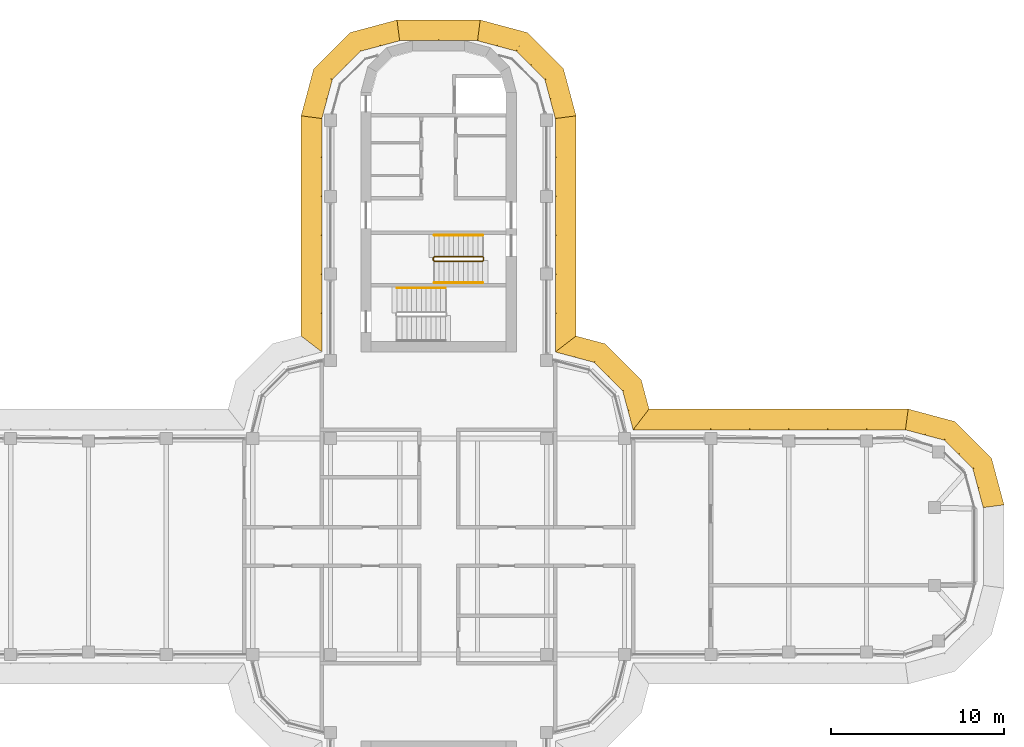
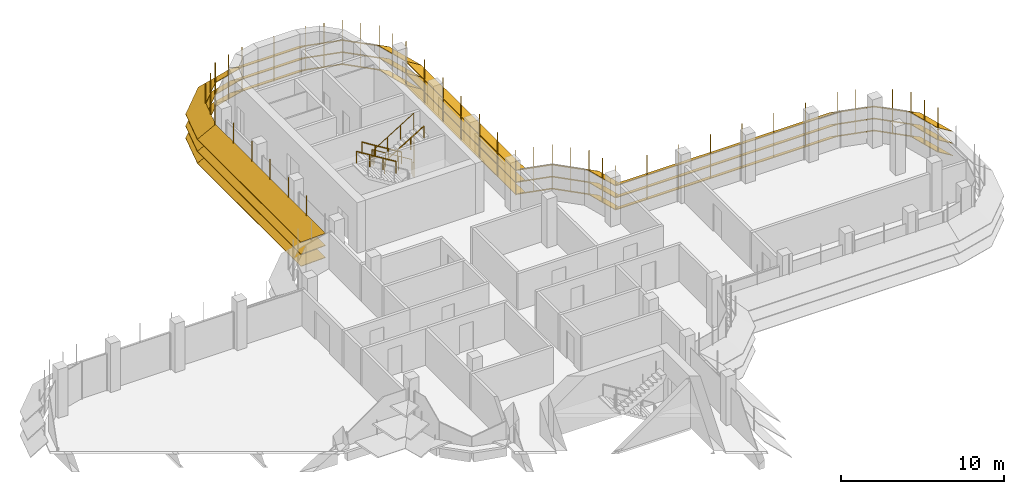
# One storey, part 18 of 19: 8 shading devices, 4 railings.
"""IFC4 building model written with IfcOpenShell, lengths in metres."""

from ifc_helpers import new_model, si_unit, direction, frame, origin, origin_2d, place, context, subcontext, project, spatial, polyline, circle, outline, extrude, faceted_brep, source, transform, mapped, material, type_object, element, save


model = new_model("IFC4")

# Units and contexts
model_context = context("Model", 3, precision=1e-05, world=origin(), true_north=direction((0.0, 1.0)))
body_context = subcontext(model_context, "Body", "Model", "MODEL_VIEW")
ifc_project = project(units=[si_unit("LENGTHUNIT", "METRE"), si_unit("AREAUNIT", "SQUARE_METRE"), si_unit("VOLUMEUNIT", "CUBIC_METRE"), si_unit("PLANEANGLEUNIT", "RADIAN"), si_unit("MASSUNIT", "GRAM", prefix="KILO")], contexts=[model_context])

# Site, building, storey
site_placement = place(None, origin())
site = spatial("IfcSite", under=ifc_project, at=site_placement, CompositionType="ELEMENT")
building_placement = place(site_placement, origin())
building = spatial("IfcBuilding", under=site, at=building_placement, Name="Zarbagh Exchange Tower", CompositionType="ELEMENT")
storey_placement = place(building_placement, frame((0.0, 0.0, 225.800048828125)))
storey = spatial("IfcBuildingStorey", under=building, at=storey_placement, Name="L55", CompositionType="ELEMENT", Elevation=225.800048828125)

# Railings
ifc_material_1 = material(Name="Stainless steel", Category="steel")
railing_type_1 = type_object("IfcRailingType", Name="Stair guard 1100 mm", PredefinedType="GUARDRAIL", material=ifc_material_1)
railing_1_placement = place(storey_placement, frame((2.550048828125, 16.75, 0.172607421875)))
element("IfcRailing", 1, at=railing_1_placement, inside=storey, type_object=railing_type_1, Name="ST1 stair guard 1", PredefinedType="GUARDRAIL", context=body_context, shape_type="SweptSolid", body=[
    extrude(circle(Radius=0.02392578125, at=origin_2d()), frame((0.0, 0.0, 1.076171875), z_axis=(-0.851089632645, 0.0, 0.525020415988), x_axis=(0.0, -1.0, 0.0)), (0.0, 0.0, 1.0), 3.2900390625),
    extrude(circle(Radius=0.02392578125, at=origin_2d()), frame((-2.800048828125, 0.0, 2.80322265625), z_axis=(-0.707106781187, -0.707106781187, 0.0), x_axis=(0.707106781187, -0.707106781187, 0.0)), (0.0, 0.0, 1.0), 0.07080078125),
    extrude(circle(Radius=0.02392578125, at=origin_2d()), frame((-2.85009765625, -0.050048828125, 2.80322265625), z_axis=(0.0, -1.0, 0.0), x_axis=(1.0, 0.0, 0.0)), (0.0, 0.0, 1.0), 0.14990234375),
    extrude(circle(Radius=0.02392578125, at=origin_2d()), frame((-2.85009765625, -0.199951171875, 2.80322265625), z_axis=(0.267953482034, -0.267953482034, 0.925419830635), x_axis=(0.707106781187, 0.707106781187, 0.0)), (0.0, 0.0, 1.0), 0.186767578125),
    extrude(circle(Radius=0.02392578125, at=origin_2d()), frame((-2.800048828125, -0.25, 2.97607421875), z_axis=(0.851089632645, 0.0, 0.525020415988), x_axis=(0.0, 1.0, 0.0)), (0.0, 0.0, 1.0), 3.2900390625),
    extrude(circle(Radius=0.02392578125, at=origin_2d()), frame((0.0, -0.25, 4.70361328125), z_axis=(0.013168290981, 0.013168290981, -0.999826581076), x_axis=(-0.707106781187, 0.707106781187, 0.0)), (0.0, 0.0, 1.0), 3.80078125),
    extrude(circle(Radius=0.02392578125, at=origin_2d()), frame((0.050048828125, -0.199951171875, 0.9033203125), z_axis=(0.0, 1.0, 0.0), x_axis=(-1.0, 0.0, 0.0)), (0.0, 0.0, 1.0), 0.14990234375),
    extrude(circle(Radius=0.02099609375, at=origin_2d()), origin(), (0.0, 0.0, 1.0), 1.052001953125),
    extrude(circle(Radius=0.02099609375, at=origin_2d()), frame((-0.933349609375, 0.0, 0.57568359375)), (0.0, 0.0, 1.0), 1.052001953125),
    extrude(circle(Radius=0.02099609375, at=origin_2d()), frame((-1.86669921875, 0.0, 1.151611328125)), (0.0, 0.0, 1.0), 1.052001953125),
    extrude(circle(Radius=0.02099609375, at=origin_2d()), frame((-2.800048828125, 0.0, 1.727294921875)), (0.0, 0.0, 1.0), 1.052001953125),
    extrude(circle(Radius=0.02099609375, at=origin_2d()), frame((-2.85009765625, -0.050048828125, 1.727294921875)), (0.0, 0.0, 1.0), 1.052001953125),
    extrude(circle(Radius=0.02099609375, at=origin_2d()), frame((-2.85009765625, -0.199951171875, 1.727294921875)), (0.0, 0.0, 1.0), 1.052001953125),
    extrude(circle(Radius=0.02099609375, at=origin_2d()), frame((-2.800048828125, -0.25, 1.900146484375)), (0.0, 0.0, 1.0), 1.052001953125),
    extrude(circle(Radius=0.02099609375, at=origin_2d()), frame((-1.86669921875, -0.25, 2.475830078125)), (0.0, 0.0, 1.0), 1.052001953125),
    extrude(circle(Radius=0.02099609375, at=origin_2d()), frame((-0.933349609375, -0.25, 3.0517578125)), (0.0, 0.0, 1.0), 1.052001953125),
    extrude(circle(Radius=0.02099609375, at=origin_2d()), frame((0.0, -0.25, 3.62744140625)), (0.0, 0.0, 1.0), 1.052001953125),
    extrude(circle(Radius=0.02099609375, at=origin_2d()), frame((0.012451171875, -0.237548828125, 2.677490234375)), (0.0, 0.0, 1.0), 1.052001953125),
    extrude(circle(Radius=0.02099609375, at=origin_2d()), frame((0.02490234375, -0.22509765625, 1.7275390625)), (0.0, 0.0, 1.0), 1.052001953125),
    extrude(circle(Radius=0.02099609375, at=origin_2d()), frame((0.03759765625, -0.21240234375, 0.77734375)), (0.0, 0.0, 1.0), 1.052001953125),
    extrude(circle(Radius=0.02099609375, at=origin_2d()), frame((0.050048828125, -0.199951171875, -0.172607421875)), (0.0, 0.0, 1.0), 1.052001953125),
    extrude(circle(Radius=0.02099609375, at=origin_2d()), frame((0.050048828125, -0.050048828125, -0.172607421875)), (0.0, 0.0, 1.0), 1.052001953125),
])
railing_type_2 = type_object("IfcRailingType", Name="Stair handrail 900 mm", PredefinedType="HANDRAIL", material=ifc_material_1)
railing_2_placement = place(storey_placement, frame((2.550048828125, 18.0, 0.172607421875)))
element("IfcRailing", 2, at=railing_2_placement, inside=storey, type_object=railing_type_2, Name="ST1 stair handrail 1", PredefinedType="HANDRAIL", context=body_context, shape_type="SweptSolid", body=[
    extrude(circle(Radius=0.02392578125, at=origin_2d()), frame((0.0, 0.0, 0.8759765625), z_axis=(-0.851089632645, 0.0, 0.525020415988), x_axis=(0.0, -1.0, 0.0)), (0.0, 0.0, 1.0), 3.2900390625),
    extrude(circle(Radius=0.02099609375, at=origin_2d()), origin(), (0.0, 0.0, 1.0), 0.851806640625),
    extrude(circle(Radius=0.02099609375, at=origin_2d()), frame((-0.933349609375, 0.0, 0.57568359375)), (0.0, 0.0, 1.0), 0.851806640625),
    extrude(circle(Radius=0.02099609375, at=origin_2d()), frame((-1.86669921875, 0.0, 1.151611328125)), (0.0, 0.0, 1.0), 0.851806640625),
    extrude(circle(Radius=0.02099609375, at=origin_2d()), frame((-2.800048828125, 0.0, 1.727294921875)), (0.0, 0.0, 1.0), 0.851806640625),
])
railing_3_placement = place(storey_placement, frame((-0.25, 15.25, 2.07275390625)))
element("IfcRailing", 3, at=railing_3_placement, inside=storey, type_object=railing_type_2, Name="ST1 stair handrail 2", PredefinedType="HANDRAIL", context=body_context, shape_type="SweptSolid", body=[
    extrude(circle(Radius=0.02392578125, at=origin_2d()), frame((0.0, 0.0, 0.8759765625), z_axis=(0.851089632645, 0.0, 0.525020415988), x_axis=(0.0, 1.0, 0.0)), (0.0, 0.0, 1.0), 3.2900390625),
    extrude(circle(Radius=0.02099609375, at=origin_2d()), origin(), (0.0, 0.0, 1.0), 0.851806640625),
    extrude(circle(Radius=0.02099609375, at=origin_2d()), frame((0.933349609375, 0.0, 0.57568359375)), (0.0, 0.0, 1.0), 0.851806640625),
    extrude(circle(Radius=0.02099609375, at=origin_2d()), frame((1.86669921875, 0.0, 1.151611328125)), (0.0, 0.0, 1.0), 0.851806640625),
    extrude(circle(Radius=0.02099609375, at=origin_2d()), frame((2.800048828125, 0.0, 1.727294921875)), (0.0, 0.0, 1.0), 0.851806640625),
])
railing_4_placement = place(storey_placement, frame((0.39990234375, 14.949951171875, 2.07275390625)))
element("IfcRailing", 4, at=railing_4_placement, inside=storey, type_object=railing_type_2, Name="ST2 stair handrail 2", PredefinedType="HANDRAIL", context=body_context, shape_type="SweptSolid", body=[
    extrude(circle(Radius=0.02392578125, at=origin_2d()), frame((0.0, 0.0, 0.8759765625), z_axis=(-0.851069175582, 0.0, 0.525053576669), x_axis=(0.0, -1.0, 0.0)), (0.0, 0.0, 1.0), 3.289794921875),
    extrude(circle(Radius=0.02099609375, at=origin_2d()), origin(), (0.0, 0.0, 1.0), 0.851806640625),
    extrude(circle(Radius=0.02099609375, at=origin_2d()), frame((-0.933349609375, 0.0, 0.57568359375)), (0.0, 0.0, 1.0), 0.851806640625),
    extrude(circle(Radius=0.02099609375, at=origin_2d()), frame((-1.866455078125, 0.0, 1.151611328125)), (0.0, 0.0, 1.0), 0.851806640625),
    extrude(circle(Radius=0.02099609375, at=origin_2d()), frame((-2.7998046875, 0.0, 1.727294921875)), (0.0, 0.0, 1.0), 0.851806640625),
])

# Shading devices
ifc_material_2 = material(Name="Anodised aluminium blades and brackets", Category="aluminium")
shading_device_type = type_object("IfcShadingDeviceType", Name="SUNSHADE louvre band, 33.75 degree blades", PredefinedType="JALOUSIE", material=ifc_material_2)
shared_shape_1 = source(origin(), body_context, "Body", "Brep", [
    faceted_brep([(0.0, 0.0, 0.0), (0.0, 0.0, -0.048095703125), (-0.157958984375, -1.199951171875, -0.849853515625), (-0.157958984375, -1.199951171875, -0.8017578125), (2.65087890625, -1.199951171875, -0.8017578125), (2.65087890625, -1.199951171875, -0.849853515625), (2.329345703125, 0.0, -0.048095703125), (2.329345703125, 0.0, 0.0)], [[[0, 1, 2, 3]], [[4, 5, 6, 7]], [[0, 7, 6, 1]], [[1, 6, 5, 2]], [[2, 5, 4, 3]], [[3, 4, 7, 0]]]),
])
shared_shape_2 = source(origin(), body_context, "Body", "Brep", [
    faceted_brep([(0.0, 0.0, 0.0), (0.0, 0.0, -0.048095703125), (-0.321533203125, -1.199951171875, -0.849853515625), (-0.321533203125, -1.199951171875, -0.8017578125), (2.65087890625, -1.199951171875, -0.8017578125), (2.65087890625, -1.199951171875, -0.849853515625), (2.329345703125, 0.0, -0.048095703125), (2.329345703125, 0.0, 0.0)], [[[0, 1, 2, 3]], [[4, 5, 6, 7]], [[0, 7, 6, 1]], [[1, 6, 5, 2]], [[2, 5, 4, 3]], [[3, 4, 7, 0]]]),
])
shared_shape_3 = source(origin(), body_context, "Body", "Brep", [
    faceted_brep([(0.0, 0.0, 0.0), (0.0, 0.0, -0.048095703125), (-0.321533203125, -1.199951171875, -0.849853515625), (-0.321533203125, -1.199951171875, -0.8017578125), (2.4873046875, -1.199951171875, -0.8017578125), (2.4873046875, -1.199951171875, -0.849853515625), (2.329345703125, 0.0, -0.048095703125), (2.329345703125, 0.0, 0.0)], [[[0, 1, 2, 3]], [[4, 5, 6, 7]], [[0, 7, 6, 1]], [[1, 6, 5, 2]], [[2, 5, 4, 3]], [[3, 4, 7, 0]]]),
])
shared_shape_4 = source(origin(), body_context, "Body", "SweptSolid", [
    extrude(outline(polyline([(0.0, -0.012451171875), (0.06005859375, -0.012451171875), (0.06005859375, 0.012451171875), (0.0, 0.012451171875), (0.0, -0.012451171875)])), origin(), (0.0, 0.0, 1.0), 3.358154296875),
])
placement = place(storey_placement, origin())
element("IfcShadingDevice", 5, at=placement, inside=storey, type_object=shading_device_type, Name="SS33 sunshade band", PredefinedType="JALOUSIE", context=body_context, shape_type="MappedRepresentation", body=[
    mapped(shared_shape_1, transform((31.5, 2.25, 2.300048828125), x_axis=(-0.258824779902, 0.965924289636, 0.0), y_axis=(-0.965924289636, -0.258824779902, 0.0), z_axis=(0.0, 0.0, 1.0))),
    mapped(shared_shape_1, transform((31.5, 2.25, 1.39990234375), x_axis=(-0.258824779902, 0.965924289636, 0.0), y_axis=(-0.965924289636, -0.258824779902, 0.0), z_axis=(0.0, 0.0, 1.0))),
    mapped(shared_shape_1, transform((31.5, 2.25, 0.5), x_axis=(-0.258824779902, 0.965924289636, 0.0), y_axis=(-0.965924289636, -0.258824779902, 0.0), z_axis=(0.0, 0.0, 1.0))),
    mapped(shared_shape_2, transform((30.897216796875, 4.5, 2.300048828125), x_axis=(-0.707106781187, 0.707106781187, 0.0), y_axis=(-0.707106781187, -0.707106781187, 0.0), z_axis=(0.0, 0.0, 1.0))),
    mapped(shared_shape_2, transform((30.897216796875, 4.5, 1.39990234375), x_axis=(-0.707106781187, 0.707106781187, 0.0), y_axis=(-0.707106781187, -0.707106781187, 0.0), z_axis=(0.0, 0.0, 1.0))),
    mapped(shared_shape_2, transform((30.897216796875, 4.5, 0.5), x_axis=(-0.707106781187, 0.707106781187, 0.0), y_axis=(-0.707106781187, -0.707106781187, 0.0), z_axis=(0.0, 0.0, 1.0))),
    mapped(shared_shape_3, transform((29.25, 6.147216796875, 2.300048828125), x_axis=(-0.965924289636, 0.258824779902, 0.0), y_axis=(-0.258824779902, -0.965924289636, 0.0), z_axis=(0.0, 0.0, 1.0))),
    mapped(shared_shape_3, transform((29.25, 6.147216796875, 1.39990234375), x_axis=(-0.965924289636, 0.258824779902, 0.0), y_axis=(-0.258824779902, -0.965924289636, 0.0), z_axis=(0.0, 0.0, 1.0))),
    mapped(shared_shape_3, transform((29.25, 6.147216796875, 0.5), x_axis=(-0.965924289636, 0.258824779902, 0.0), y_axis=(-0.258824779902, -0.965924289636, 0.0), z_axis=(0.0, 0.0, 1.0))),
    mapped(shared_shape_4, transform((31.5, 2.25, 0.421875), x_axis=(0.991444457092, 0.130529263012, 0.0), y_axis=(-0.130529263012, 0.991444457092, 0.0), z_axis=(0.0, 0.0, 1.0))),
    mapped(shared_shape_4, transform((31.198486328125, 3.375, 0.421875), x_axis=(0.96592421511, 0.258825058029, 0.0), y_axis=(-0.258825058029, 0.96592421511, 0.0), z_axis=(0.0, 0.0, 1.0))),
    mapped(shared_shape_4, transform((30.897216796875, 4.5, 0.421875), x_axis=(0.866023812018, 0.50000275701, 0.0), y_axis=(-0.50000275701, 0.866023812018, 0.0), z_axis=(0.0, 0.0, 1.0))),
    mapped(shared_shape_4, transform((30.073486328125, 5.323486328125, 0.421875), x_axis=(0.707106781187, 0.707106781187, 0.0), y_axis=(-0.707106781187, 0.707106781187, 0.0), z_axis=(0.0, 0.0, 1.0))),
    mapped(shared_shape_4, transform((29.25, 6.147216796875, 0.421875), x_axis=(0.50000275701, 0.866023812018, 0.0), y_axis=(-0.866023812018, 0.50000275701, 0.0), z_axis=(0.0, 0.0, 1.0))),
    mapped(shared_shape_4, transform((28.125, 6.448486328125, 0.421875), x_axis=(0.258825058029, 0.96592421511, 0.0), y_axis=(-0.96592421511, 0.258825058029, 0.0), z_axis=(0.0, 0.0, 1.0))),
])
element("IfcShadingDevice", 6, at=placement, inside=storey, type_object=shading_device_type, Name="SS46 sunshade band", PredefinedType="JALOUSIE", context=body_context, shape_type="MappedRepresentation", body=[
    mapped(shared_shape_1, transform((6.75, 24.75, 2.300048828125), x_axis=(-0.258824779902, 0.965924289636, 0.0), y_axis=(-0.965924289636, -0.258824779902, 0.0), z_axis=(0.0, 0.0, 1.0))),
    mapped(shared_shape_1, transform((6.75, 24.75, 1.39990234375), x_axis=(-0.258824779902, 0.965924289636, 0.0), y_axis=(-0.965924289636, -0.258824779902, 0.0), z_axis=(0.0, 0.0, 1.0))),
    mapped(shared_shape_1, transform((6.75, 24.75, 0.5), x_axis=(-0.258824779902, 0.965924289636, 0.0), y_axis=(-0.965924289636, -0.258824779902, 0.0), z_axis=(0.0, 0.0, 1.0))),
    mapped(shared_shape_2, transform((6.147216796875, 27.0, 2.300048828125), x_axis=(-0.707106781187, 0.707106781187, 0.0), y_axis=(-0.707106781187, -0.707106781187, 0.0), z_axis=(0.0, 0.0, 1.0))),
    mapped(shared_shape_2, transform((6.147216796875, 27.0, 1.39990234375), x_axis=(-0.707106781187, 0.707106781187, 0.0), y_axis=(-0.707106781187, -0.707106781187, 0.0), z_axis=(0.0, 0.0, 1.0))),
    mapped(shared_shape_2, transform((6.147216796875, 27.0, 0.5), x_axis=(-0.707106781187, 0.707106781187, 0.0), y_axis=(-0.707106781187, -0.707106781187, 0.0), z_axis=(0.0, 0.0, 1.0))),
    mapped(shared_shape_3, transform((4.5, 28.647216796875, 2.300048828125), x_axis=(-0.965924289636, 0.258824779902, 0.0), y_axis=(-0.258824779902, -0.965924289636, 0.0), z_axis=(0.0, 0.0, 1.0))),
    mapped(shared_shape_3, transform((4.5, 28.647216796875, 1.39990234375), x_axis=(-0.965924289636, 0.258824779902, 0.0), y_axis=(-0.258824779902, -0.965924289636, 0.0), z_axis=(0.0, 0.0, 1.0))),
    mapped(shared_shape_3, transform((4.5, 28.647216796875, 0.5), x_axis=(-0.965924289636, 0.258824779902, 0.0), y_axis=(-0.258824779902, -0.965924289636, 0.0), z_axis=(0.0, 0.0, 1.0))),
    mapped(shared_shape_4, transform((6.75, 24.75, 0.421875), x_axis=(0.991444457092, 0.130529263012, 0.0), y_axis=(-0.130529263012, 0.991444457092, 0.0), z_axis=(0.0, 0.0, 1.0))),
    mapped(shared_shape_4, transform((6.448486328125, 25.875, 0.421875), x_axis=(0.96592421511, 0.258825058029, 0.0), y_axis=(-0.258825058029, 0.96592421511, 0.0), z_axis=(0.0, 0.0, 1.0))),
    mapped(shared_shape_4, transform((6.147216796875, 27.0, 0.421875), x_axis=(0.866023812018, 0.50000275701, 0.0), y_axis=(-0.50000275701, 0.866023812018, 0.0), z_axis=(0.0, 0.0, 1.0))),
    mapped(shared_shape_4, transform((5.323486328125, 27.823486328125, 0.421875), x_axis=(0.707106781187, 0.707106781187, 0.0), y_axis=(-0.707106781187, 0.707106781187, 0.0), z_axis=(0.0, 0.0, 1.0))),
    mapped(shared_shape_4, transform((4.5, 28.647216796875, 0.421875), x_axis=(0.50000275701, 0.866023812018, 0.0), y_axis=(-0.866023812018, 0.50000275701, 0.0), z_axis=(0.0, 0.0, 1.0))),
    mapped(shared_shape_4, transform((3.375, 28.948486328125, 0.421875), x_axis=(0.258825058029, 0.96592421511, 0.0), y_axis=(-0.96592421511, 0.258825058029, 0.0), z_axis=(0.0, 0.0, 1.0))),
])
element("IfcShadingDevice", 7, at=placement, inside=storey, type_object=shading_device_type, Name="SS48 sunshade band", PredefinedType="JALOUSIE", context=body_context, shape_type="MappedRepresentation", body=[
    mapped(shared_shape_1, transform((-2.25, 29.25, 2.300048828125), x_axis=(-0.965924289636, -0.258824779902, 0.0), y_axis=(0.258824779902, -0.965924289636, 0.0), z_axis=(0.0, 0.0, 1.0))),
    mapped(shared_shape_1, transform((-2.25, 29.25, 1.39990234375), x_axis=(-0.965924289636, -0.258824779902, 0.0), y_axis=(0.258824779902, -0.965924289636, 0.0), z_axis=(0.0, 0.0, 1.0))),
    mapped(shared_shape_1, transform((-2.25, 29.25, 0.5), x_axis=(-0.965924289636, -0.258824779902, 0.0), y_axis=(0.258824779902, -0.965924289636, 0.0), z_axis=(0.0, 0.0, 1.0))),
    mapped(shared_shape_2, transform((-4.5, 28.647216796875, 2.300048828125), x_axis=(-0.707106781187, -0.707106781187, 0.0), y_axis=(0.707106781187, -0.707106781187, 0.0), z_axis=(0.0, 0.0, 1.0))),
    mapped(shared_shape_2, transform((-4.5, 28.647216796875, 1.39990234375), x_axis=(-0.707106781187, -0.707106781187, 0.0), y_axis=(0.707106781187, -0.707106781187, 0.0), z_axis=(0.0, 0.0, 1.0))),
    mapped(shared_shape_2, transform((-4.5, 28.647216796875, 0.5), x_axis=(-0.707106781187, -0.707106781187, 0.0), y_axis=(0.707106781187, -0.707106781187, 0.0), z_axis=(0.0, 0.0, 1.0))),
    mapped(shared_shape_3, transform((-6.147216796875, 27.0, 2.300048828125), x_axis=(-0.258824779902, -0.965924289636, 0.0), y_axis=(0.965924289636, -0.258824779902, 0.0), z_axis=(0.0, 0.0, 1.0))),
    mapped(shared_shape_3, transform((-6.147216796875, 27.0, 1.39990234375), x_axis=(-0.258824779902, -0.965924289636, 0.0), y_axis=(0.965924289636, -0.258824779902, 0.0), z_axis=(0.0, 0.0, 1.0))),
    mapped(shared_shape_3, transform((-6.147216796875, 27.0, 0.5), x_axis=(-0.258824779902, -0.965924289636, 0.0), y_axis=(0.965924289636, -0.258824779902, 0.0), z_axis=(0.0, 0.0, 1.0))),
    mapped(shared_shape_4, transform((-2.25, 29.25, 0.421875), x_axis=(-0.130529263012, 0.991444457092, 0.0), y_axis=(-0.991444457092, -0.130529263012, 0.0), z_axis=(0.0, 0.0, 1.0))),
    mapped(shared_shape_4, transform((-3.375, 28.948486328125, 0.421875), x_axis=(-0.258825058029, 0.96592421511, 0.0), y_axis=(-0.96592421511, -0.258825058029, 0.0), z_axis=(0.0, 0.0, 1.0))),
    mapped(shared_shape_4, transform((-4.5, 28.647216796875, 0.421875), x_axis=(-0.50000275701, 0.866023812018, 0.0), y_axis=(-0.866023812018, -0.50000275701, 0.0), z_axis=(0.0, 0.0, 1.0))),
    mapped(shared_shape_4, transform((-5.323486328125, 27.823486328125, 0.421875), x_axis=(-0.707106781187, 0.707106781187, 0.0), y_axis=(-0.707106781187, -0.707106781187, 0.0), z_axis=(0.0, 0.0, 1.0))),
    mapped(shared_shape_4, transform((-6.147216796875, 27.0, 0.421875), x_axis=(-0.866023812018, 0.50000275701, 0.0), y_axis=(-0.50000275701, -0.866023812018, 0.0), z_axis=(0.0, 0.0, 1.0))),
    mapped(shared_shape_4, transform((-6.448486328125, 25.875, 0.421875), x_axis=(-0.96592421511, 0.258825058029, 0.0), y_axis=(-0.258825058029, -0.96592421511, 0.0), z_axis=(0.0, 0.0, 1.0))),
])
shared_shape_5 = source(origin(), body_context, "Body", "Brep", [
    faceted_brep([(0.0, 0.0, 0.0), (0.0, 0.0, -0.048095703125), (0.9208984375, -1.199951171875, -0.849853515625), (0.9208984375, -1.199951171875, -0.8017578125), (2.65087890625, -1.199951171875, -0.8017578125), (2.65087890625, -1.199951171875, -0.849853515625), (2.329345703125, 0.0, -0.048095703125), (2.329345703125, 0.0, 0.0)], [[[0, 1, 2, 3]], [[4, 5, 6, 7]], [[0, 7, 6, 1]], [[1, 6, 5, 2]], [[2, 5, 4, 3]], [[3, 4, 7, 0]]]),
])
shared_shape_6 = source(origin(), body_context, "Body", "Brep", [
    faceted_brep([(0.0, 0.0, 0.0), (0.0, 0.0, -0.048095703125), (-0.321533203125, -1.199951171875, -0.849853515625), (-0.321533203125, -1.199951171875, -0.8017578125), (1.40869140625, -1.199951171875, -0.8017578125), (1.40869140625, -1.199951171875, -0.849853515625), (2.329345703125, 0.0, -0.048095703125), (2.329345703125, 0.0, 0.0)], [[[0, 1, 2, 3]], [[4, 5, 6, 7]], [[0, 7, 6, 1]], [[1, 6, 5, 2]], [[2, 5, 4, 3]], [[3, 4, 7, 0]]]),
])
element("IfcShadingDevice", 8, at=placement, inside=storey, type_object=shading_device_type, Name="SS09 sunshade band", PredefinedType="JALOUSIE", context=body_context, shape_type="MappedRepresentation", body=[
    mapped(shared_shape_5, transform((11.25, 6.75, 2.300048828125), x_axis=(-0.258824779902, 0.965924289636, 0.0), y_axis=(-0.965924289636, -0.258824779902, 0.0), z_axis=(0.0, 0.0, 1.0))),
    mapped(shared_shape_5, transform((11.25, 6.75, 1.39990234375), x_axis=(-0.258824779902, 0.965924289636, 0.0), y_axis=(-0.965924289636, -0.258824779902, 0.0), z_axis=(0.0, 0.0, 1.0))),
    mapped(shared_shape_5, transform((11.25, 6.75, 0.5), x_axis=(-0.258824779902, 0.965924289636, 0.0), y_axis=(-0.965924289636, -0.258824779902, 0.0), z_axis=(0.0, 0.0, 1.0))),
    mapped(shared_shape_2, transform((10.647216796875, 9.0, 2.300048828125), x_axis=(-0.707106781187, 0.707106781187, 0.0), y_axis=(-0.707106781187, -0.707106781187, 0.0), z_axis=(0.0, 0.0, 1.0))),
    mapped(shared_shape_2, transform((10.647216796875, 9.0, 1.39990234375), x_axis=(-0.707106781187, 0.707106781187, 0.0), y_axis=(-0.707106781187, -0.707106781187, 0.0), z_axis=(0.0, 0.0, 1.0))),
    mapped(shared_shape_2, transform((10.647216796875, 9.0, 0.5), x_axis=(-0.707106781187, 0.707106781187, 0.0), y_axis=(-0.707106781187, -0.707106781187, 0.0), z_axis=(0.0, 0.0, 1.0))),
    mapped(shared_shape_6, transform((9.0, 10.647216796875, 2.300048828125), x_axis=(-0.965924289636, 0.258824779902, 0.0), y_axis=(-0.258824779902, -0.965924289636, 0.0), z_axis=(0.0, 0.0, 1.0))),
    mapped(shared_shape_6, transform((9.0, 10.647216796875, 1.39990234375), x_axis=(-0.965924289636, 0.258824779902, 0.0), y_axis=(-0.258824779902, -0.965924289636, 0.0), z_axis=(0.0, 0.0, 1.0))),
    mapped(shared_shape_6, transform((9.0, 10.647216796875, 0.5), x_axis=(-0.965924289636, 0.258824779902, 0.0), y_axis=(-0.258824779902, -0.965924289636, 0.0), z_axis=(0.0, 0.0, 1.0))),
    mapped(shared_shape_4, transform((11.25, 6.75, 0.421875), x_axis=(0.608758892, 0.793355287, 0.0), y_axis=(-0.793355287, 0.608758892, 0.0), z_axis=(0.0, 0.0, 1.0))),
    mapped(shared_shape_4, transform((10.948486328125, 7.875, 0.421875), x_axis=(0.96592421511, 0.258825058029, 0.0), y_axis=(-0.258825058029, 0.96592421511, 0.0), z_axis=(0.0, 0.0, 1.0))),
    mapped(shared_shape_4, transform((10.647216796875, 9.0, 0.421875), x_axis=(0.866023812018, 0.50000275701, 0.0), y_axis=(-0.50000275701, 0.866023812018, 0.0), z_axis=(0.0, 0.0, 1.0))),
    mapped(shared_shape_4, transform((9.823486328125, 9.823486328125, 0.421875), x_axis=(0.707106781187, 0.707106781187, 0.0), y_axis=(-0.707106781187, 0.707106781187, 0.0), z_axis=(0.0, 0.0, 1.0))),
    mapped(shared_shape_4, transform((9.0, 10.647216796875, 0.421875), x_axis=(0.50000275701, 0.866023812018, 0.0), y_axis=(-0.866023812018, 0.50000275701, 0.0), z_axis=(0.0, 0.0, 1.0))),
    mapped(shared_shape_4, transform((7.875, 10.948486328125, 0.421875), x_axis=(0.258825058029, 0.96592421511, 0.0), y_axis=(-0.96592421511, 0.258825058029, 0.0), z_axis=(0.0, 0.0, 1.0))),
])
shared_shape_7 = source(origin(), body_context, "Body", "Brep", [
    faceted_brep([(0.0, 0.0, 0.0), (0.0, 0.0, -0.048095703125), (-0.157958984375, -1.199951171875, -0.849853515625), (-0.157958984375, -1.199951171875, -0.8017578125), (14.8291015625, -1.199951171875, -0.8017578125), (14.8291015625, -1.199951171875, -0.849853515625), (15.75, 0.0, -0.048095703125), (15.75, 0.0, 0.0)], [[[0, 1, 2, 3]], [[4, 5, 6, 7]], [[0, 7, 6, 1]], [[1, 6, 5, 2]], [[2, 5, 4, 3]], [[3, 4, 7, 0]]]),
])
element("IfcShadingDevice", 9, at=placement, inside=storey, type_object=shading_device_type, Name="SS34 sunshade band", PredefinedType="JALOUSIE", context=body_context, shape_type="MappedRepresentation", body=[
    mapped(shared_shape_7, transform((27.0, 6.75, 2.300048828125), x_axis=(-1.0, 0.0, 0.0), y_axis=(0.0, -1.0, 0.0), z_axis=(0.0, 0.0, 1.0))),
    mapped(shared_shape_7, transform((27.0, 6.75, 1.39990234375), x_axis=(-1.0, 0.0, 0.0), y_axis=(0.0, -1.0, 0.0), z_axis=(0.0, 0.0, 1.0))),
    mapped(shared_shape_7, transform((27.0, 6.75, 0.5), x_axis=(-1.0, 0.0, 0.0), y_axis=(0.0, -1.0, 0.0), z_axis=(0.0, 0.0, 1.0))),
    mapped(shared_shape_4, transform((27.0, 6.75, 0.421875), x_axis=(0.130529263012, 0.991444457092, 0.0), y_axis=(-0.991444457092, 0.130529263012, 0.0), z_axis=(0.0, 0.0, 1.0))),
    mapped(shared_shape_4, transform((24.75, 6.75, 0.421875), x_axis=(0.0, 1.0, 0.0), y_axis=(-1.0, 0.0, 0.0), z_axis=(0.0, 0.0, 1.0))),
    mapped(shared_shape_4, transform((22.5, 6.75, 0.421875), x_axis=(0.0, 1.0, 0.0), y_axis=(-1.0, 0.0, 0.0), z_axis=(0.0, 0.0, 1.0))),
    mapped(shared_shape_4, transform((20.25, 6.75, 0.421875), x_axis=(0.0, 1.0, 0.0), y_axis=(-1.0, 0.0, 0.0), z_axis=(0.0, 0.0, 1.0))),
    mapped(shared_shape_4, transform((18.0, 6.75, 0.421875), x_axis=(0.0, 1.0, 0.0), y_axis=(-1.0, 0.0, 0.0), z_axis=(0.0, 0.0, 1.0))),
    mapped(shared_shape_4, transform((15.75, 6.75, 0.421875), x_axis=(0.0, 1.0, 0.0), y_axis=(-1.0, 0.0, 0.0), z_axis=(0.0, 0.0, 1.0))),
    mapped(shared_shape_4, transform((13.5, 6.75, 0.421875), x_axis=(0.0, 1.0, 0.0), y_axis=(-1.0, 0.0, 0.0), z_axis=(0.0, 0.0, 1.0))),
])
shared_shape_8 = source(origin(), body_context, "Body", "Brep", [
    faceted_brep([(0.0, 0.0, 0.0), (0.0, 0.0, -0.048095703125), (0.9208984375, -1.199951171875, -0.849853515625), (0.9208984375, -1.199951171875, -0.8017578125), (13.657958984375, -1.199951171875, -0.8017578125), (13.657958984375, -1.199951171875, -0.849853515625), (13.5, 0.0, -0.048095703125), (13.5, 0.0, 0.0)], [[[0, 1, 2, 3]], [[4, 5, 6, 7]], [[0, 7, 6, 1]], [[1, 6, 5, 2]], [[2, 5, 4, 3]], [[3, 4, 7, 0]]]),
])
element("IfcShadingDevice", 10, at=placement, inside=storey, type_object=shading_device_type, Name="SS45 sunshade band", PredefinedType="JALOUSIE", context=body_context, shape_type="MappedRepresentation", body=[
    mapped(shared_shape_8, transform((6.75, 11.25, 2.300048828125), x_axis=(0.0, 1.0, 0.0), y_axis=(-1.0, 0.0, 0.0), z_axis=(0.0, 0.0, 1.0))),
    mapped(shared_shape_8, transform((6.75, 11.25, 1.39990234375), x_axis=(0.0, 1.0, 0.0), y_axis=(-1.0, 0.0, 0.0), z_axis=(0.0, 0.0, 1.0))),
    mapped(shared_shape_8, transform((6.75, 11.25, 0.5), x_axis=(0.0, 1.0, 0.0), y_axis=(-1.0, 0.0, 0.0), z_axis=(0.0, 0.0, 1.0))),
    mapped(shared_shape_4, transform((6.75, 11.25, 0.421875), x_axis=(0.793355287, 0.608758892, 0.0), y_axis=(-0.608758892, 0.793355287, 0.0), z_axis=(0.0, 0.0, 1.0))),
    mapped(shared_shape_4, transform((6.75, 13.5, 0.421875), x_axis=(1.0, 0.0, 0.0), y_axis=(0.0, 1.0, 0.0), z_axis=(0.0, 0.0, 1.0))),
    mapped(shared_shape_4, transform((6.75, 15.75, 0.421875), x_axis=(1.0, 0.0, 0.0), y_axis=(0.0, 1.0, 0.0), z_axis=(0.0, 0.0, 1.0))),
    mapped(shared_shape_4, transform((6.75, 18.0, 0.421875), x_axis=(1.0, 0.0, 0.0), y_axis=(0.0, 1.0, 0.0), z_axis=(0.0, 0.0, 1.0))),
    mapped(shared_shape_4, transform((6.75, 20.25, 0.421875), x_axis=(1.0, 0.0, 0.0), y_axis=(0.0, 1.0, 0.0), z_axis=(0.0, 0.0, 1.0))),
    mapped(shared_shape_4, transform((6.75, 22.5, 0.421875), x_axis=(1.0, 0.0, 0.0), y_axis=(0.0, 1.0, 0.0), z_axis=(0.0, 0.0, 1.0))),
])
shared_shape_9 = source(origin(), body_context, "Body", "Brep", [
    faceted_brep([(0.0, 0.0, 0.0), (0.0, 0.0, -0.048095703125), (-0.157958984375, -1.199951171875, -0.849853515625), (-0.157958984375, -1.199951171875, -0.8017578125), (4.657958984375, -1.199951171875, -0.8017578125), (4.657958984375, -1.199951171875, -0.849853515625), (4.5, 0.0, -0.048095703125), (4.5, 0.0, 0.0)], [[[0, 1, 2, 3]], [[4, 5, 6, 7]], [[0, 7, 6, 1]], [[1, 6, 5, 2]], [[2, 5, 4, 3]], [[3, 4, 7, 0]]]),
])
element("IfcShadingDevice", 11, at=placement, inside=storey, type_object=shading_device_type, Name="SS47 sunshade band", PredefinedType="JALOUSIE", context=body_context, shape_type="MappedRepresentation", body=[
    mapped(shared_shape_9, transform((2.25, 29.25, 2.300048828125), x_axis=(-1.0, 0.0, 0.0), y_axis=(0.0, -1.0, 0.0), z_axis=(0.0, 0.0, 1.0))),
    mapped(shared_shape_9, transform((2.25, 29.25, 1.39990234375), x_axis=(-1.0, 0.0, 0.0), y_axis=(0.0, -1.0, 0.0), z_axis=(0.0, 0.0, 1.0))),
    mapped(shared_shape_9, transform((2.25, 29.25, 0.5), x_axis=(-1.0, 0.0, 0.0), y_axis=(0.0, -1.0, 0.0), z_axis=(0.0, 0.0, 1.0))),
    mapped(shared_shape_4, transform((2.25, 29.25, 0.421875), x_axis=(0.130529263012, 0.991444457092, 0.0), y_axis=(-0.991444457092, 0.130529263012, 0.0), z_axis=(0.0, 0.0, 1.0))),
    mapped(shared_shape_4, transform((0.0, 29.25, 0.421875), x_axis=(0.0, 1.0, 0.0), y_axis=(-1.0, 0.0, 0.0), z_axis=(0.0, 0.0, 1.0))),
])
shared_shape_10 = source(origin(), body_context, "Body", "Brep", [
    faceted_brep([(0.0, 0.0, 0.0), (0.0, 0.0, -0.048095703125), (-0.157958984375, -1.199951171875, -0.849853515625), (-0.157958984375, -1.199951171875, -0.8017578125), (12.5791015625, -1.199951171875, -0.8017578125), (12.5791015625, -1.199951171875, -0.849853515625), (13.5, 0.0, -0.048095703125), (13.5, 0.0, 0.0)], [[[0, 1, 2, 3]], [[4, 5, 6, 7]], [[0, 7, 6, 1]], [[1, 6, 5, 2]], [[2, 5, 4, 3]], [[3, 4, 7, 0]]]),
])
element("IfcShadingDevice", 12, at=placement, inside=storey, type_object=shading_device_type, Name="SS49 sunshade band", PredefinedType="JALOUSIE", context=body_context, shape_type="MappedRepresentation", body=[
    mapped(shared_shape_10, transform((-6.75, 24.75, 2.300048828125), x_axis=(0.0, -1.0, 0.0), y_axis=(1.0, 0.0, 0.0), z_axis=(0.0, 0.0, 1.0))),
    mapped(shared_shape_10, transform((-6.75, 24.75, 1.39990234375), x_axis=(0.0, -1.0, 0.0), y_axis=(1.0, 0.0, 0.0), z_axis=(0.0, 0.0, 1.0))),
    mapped(shared_shape_10, transform((-6.75, 24.75, 0.5), x_axis=(0.0, -1.0, 0.0), y_axis=(1.0, 0.0, 0.0), z_axis=(0.0, 0.0, 1.0))),
    mapped(shared_shape_4, transform((-6.75, 24.75, 0.421875), x_axis=(-0.991444457092, 0.130529263012, 0.0), y_axis=(-0.130529263012, -0.991444457092, 0.0), z_axis=(0.0, 0.0, 1.0))),
    mapped(shared_shape_4, transform((-6.75, 22.5, 0.421875), x_axis=(-1.0, 0.0, 0.0), y_axis=(0.0, -1.0, 0.0), z_axis=(0.0, 0.0, 1.0))),
    mapped(shared_shape_4, transform((-6.75, 20.25, 0.421875), x_axis=(-1.0, 0.0, 0.0), y_axis=(0.0, -1.0, 0.0), z_axis=(0.0, 0.0, 1.0))),
    mapped(shared_shape_4, transform((-6.75, 18.0, 0.421875), x_axis=(-1.0, 0.0, 0.0), y_axis=(0.0, -1.0, 0.0), z_axis=(0.0, 0.0, 1.0))),
    mapped(shared_shape_4, transform((-6.75, 15.75, 0.421875), x_axis=(-1.0, 0.0, 0.0), y_axis=(0.0, -1.0, 0.0), z_axis=(0.0, 0.0, 1.0))),
    mapped(shared_shape_4, transform((-6.75, 13.5, 0.421875), x_axis=(-1.0, 0.0, 0.0), y_axis=(0.0, -1.0, 0.0), z_axis=(0.0, 0.0, 1.0))),
])

save(model, "model.ifc")
